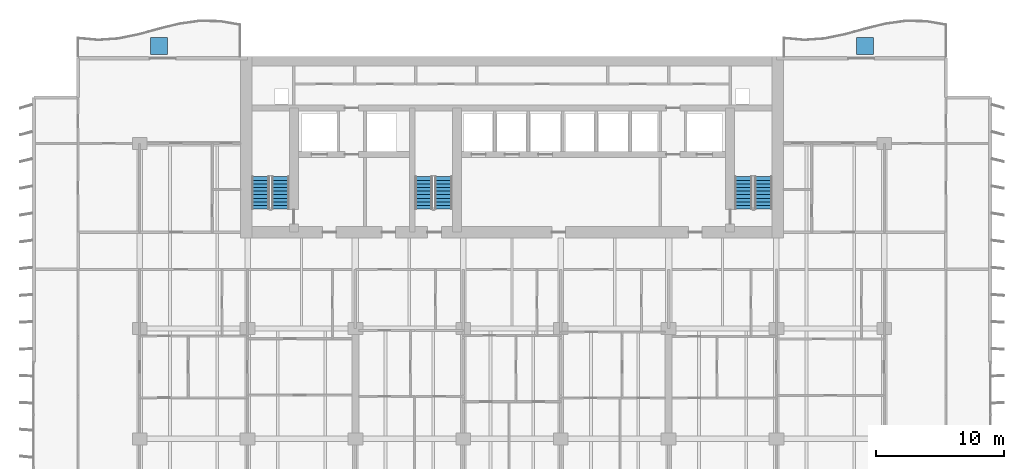
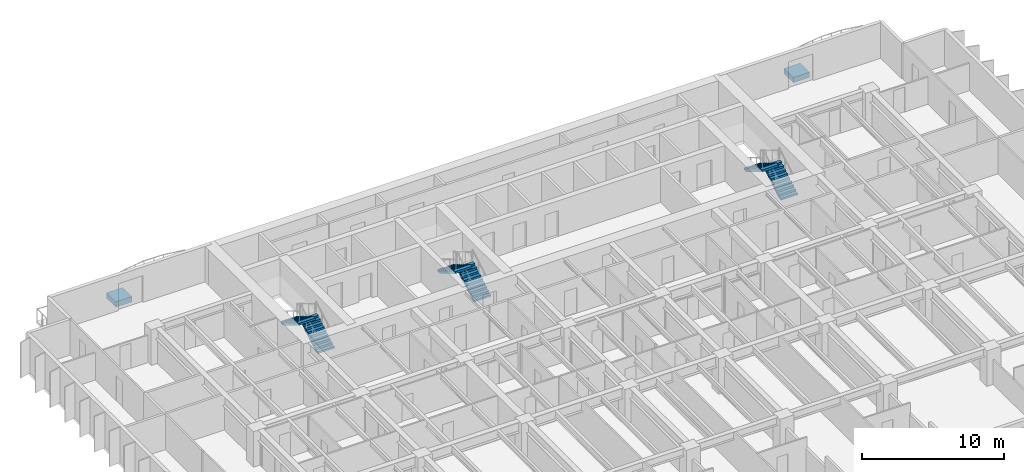
# One storey, part 14 of 18: 6 stair flights, 2 discrete accessories, 3 elements without a shape of their own.
"""IFC4 building model written with IfcOpenShell, lengths in metres."""

from ifc_helpers import new_model, si_unit, direction, frame, origin, origin_2d, place, context, subcontext, project, spatial, polyline, rectangle, outline, extrude, material, type_object, element, aggregate, save


model = new_model("IFC4")

# Units and contexts
model_context = context("Model", 3, precision=1e-05, world=origin(), true_north=direction((0.0, 1.0)))
body_context = subcontext(model_context, "Body", "Model", "MODEL_VIEW")
ifc_project = project(units=[si_unit("LENGTHUNIT", "METRE"), si_unit("AREAUNIT", "SQUARE_METRE"), si_unit("VOLUMEUNIT", "CUBIC_METRE"), si_unit("PLANEANGLEUNIT", "RADIAN"), si_unit("MASSUNIT", "GRAM", prefix="KILO")], contexts=[model_context])

# Site, building, storey
site_placement = place(None, origin())
site = spatial("IfcSite", under=ifc_project, at=site_placement, CompositionType="ELEMENT")
building_placement = place(site_placement, origin())
building = spatial("IfcBuilding", under=site, at=building_placement, Name="Caelmar Bay Residences", CompositionType="ELEMENT")
storey_placement = place(building_placement, frame((0.0, 0.0, 43.199951171875)))
storey = spatial("IfcBuildingStorey", under=building, at=storey_placement, Name="L10", CompositionType="ELEMENT", Elevation=43.199951171875)

# Stair, stair flights
ifc_material_1 = material(Name="Concrete f'c 40 MPa (6,000 psi)", Category="concrete")
stair_type = type_object("IfcStairType", Name="ST-TYP-165", PredefinedType="HALF_TURN_STAIR", material=ifc_material_1)
stair_1_placement = place(storey_placement, origin())
stair_1 = element("IfcStair", 1, at=stair_1_placement, inside=storey, type_object=stair_type, Name="L10 West Smokeproof Exit Stair ST1", PredefinedType="HALF_TURN_STAIR")
stair_flight_type = type_object("IfcStairFlightType", Name="STF-1350", PredefinedType="STRAIGHT", material=ifc_material_1)
stair_flight_1_placement = place(storey_placement, frame((20.875, 38.699951171875, 0.0), z_axis=(0.0, 0.0, 1.0), x_axis=(0.0, 1.0, 0.0)))
stair_flight_1 = element("IfcStairFlight", 2, at=stair_flight_1_placement, type_object=stair_flight_type, Name="ST1 flight 1", NumberOfRisers=10, NumberOfTreads=9, PredefinedType="STRAIGHT", RiserHeight=0.165, TreadLength=0.28, context=body_context, shape_type="SweptSolid", body=[
    extrude(outline(polyline([(0.0, 0.0), (0.0, 0.1650390625), (0.280029296875, 0.1650390625), (0.280029296875, 0.330078125), (0.56005859375, 0.330078125), (0.56005859375, 0.4951171875), (0.840087890625, 0.4951171875), (0.840087890625, 0.659912109375), (1.1201171875, 0.659912109375), (1.1201171875, 0.824951171875), (1.39990234375, 0.824951171875), (1.39990234375, 0.989990234375), (1.679931640625, 0.989990234375), (1.679931640625, 1.155029296875), (1.9599609375, 1.155029296875), (1.9599609375, 1.320068359375), (2.239990234375, 1.320068359375), (2.239990234375, 1.485107421875), (2.52001953125, 1.485107421875), (2.52001953125, 1.64990234375), (2.52001953125, 1.31103515625), (0.295166015625, 0.0), (0.0, 0.0)])), frame((0.0, 0.675048828125, 0.0), z_axis=(0.0, -1.0, 0.0), x_axis=(1.0, 0.0, 0.0)), (0.0, 0.0, 1.0), 1.35009765625),
])
stair_flight_2_placement = place(storey_placement, frame((19.324951171875, 41.219970703125, 1.650146484375), z_axis=(0.0, 0.0, 1.0), x_axis=(0.0, -1.0, 0.0)))
stair_flight_2 = element("IfcStairFlight", 3, at=stair_flight_2_placement, type_object=stair_flight_type, Name="ST1 flight 2", NumberOfRisers=10, NumberOfTreads=9, PredefinedType="STRAIGHT", RiserHeight=0.165, TreadLength=0.28, context=body_context, shape_type="SweptSolid", body=[
    extrude(outline(polyline([(0.0, 0.0), (0.0, 0.1650390625), (0.280029296875, 0.1650390625), (0.280029296875, 0.330078125), (0.56005859375, 0.330078125), (0.56005859375, 0.4951171875), (0.840087890625, 0.4951171875), (0.840087890625, 0.659912109375), (1.1201171875, 0.659912109375), (1.1201171875, 0.824951171875), (1.39990234375, 0.824951171875), (1.39990234375, 0.989990234375), (1.679931640625, 0.989990234375), (1.679931640625, 1.155029296875), (1.9599609375, 1.155029296875), (1.9599609375, 1.320068359375), (2.239990234375, 1.320068359375), (2.239990234375, 1.485107421875), (2.52001953125, 1.485107421875), (2.52001953125, 1.64990234375), (2.52001953125, 1.31103515625), (0.295166015625, 0.0), (0.0, 0.0)])), frame((0.0, 0.675048828125, 0.0), z_axis=(0.0, -1.0, 0.0), x_axis=(1.0, 0.0, 0.0)), (0.0, 0.0, 1.0), 1.35009765625),
])
aggregate(stair_1, [stair_flight_1, stair_flight_2])

stair_2_placement = place(storey_placement, origin())
stair_2 = element("IfcStair", 4, at=stair_2_placement, inside=storey, type_object=stair_type, Name="L10 East Smokeproof Exit Stair ST2", PredefinedType="HALF_TURN_STAIR")
stair_flight_3_placement = place(storey_placement, frame((58.47509765625, 38.699951171875, 0.0), z_axis=(0.0, 0.0, 1.0), x_axis=(0.0, 1.0, 0.0)))
stair_flight_3 = element("IfcStairFlight", 5, at=stair_flight_3_placement, type_object=stair_flight_type, Name="ST2 flight 1", NumberOfRisers=10, NumberOfTreads=9, PredefinedType="STRAIGHT", RiserHeight=0.165, TreadLength=0.28, context=body_context, shape_type="SweptSolid", body=[
    extrude(outline(polyline([(0.0, 0.0), (0.0, 0.1650390625), (0.280029296875, 0.1650390625), (0.280029296875, 0.330078125), (0.56005859375, 0.330078125), (0.56005859375, 0.4951171875), (0.840087890625, 0.4951171875), (0.840087890625, 0.659912109375), (1.1201171875, 0.659912109375), (1.1201171875, 0.824951171875), (1.39990234375, 0.824951171875), (1.39990234375, 0.989990234375), (1.679931640625, 0.989990234375), (1.679931640625, 1.155029296875), (1.9599609375, 1.155029296875), (1.9599609375, 1.320068359375), (2.239990234375, 1.320068359375), (2.239990234375, 1.485107421875), (2.52001953125, 1.485107421875), (2.52001953125, 1.64990234375), (2.52001953125, 1.31103515625), (0.295166015625, 0.0), (0.0, 0.0)])), frame((0.0, 0.675048828125, 0.0), z_axis=(0.0, -1.0, 0.0), x_axis=(1.0, 0.0, 0.0)), (0.0, 0.0, 1.0), 1.35009765625),
])
stair_flight_4_placement = place(storey_placement, frame((56.925048828125, 41.219970703125, 1.650146484375), z_axis=(0.0, 0.0, 1.0), x_axis=(0.0, -1.0, 0.0)))
stair_flight_4 = element("IfcStairFlight", 6, at=stair_flight_4_placement, type_object=stair_flight_type, Name="ST2 flight 2", NumberOfRisers=10, NumberOfTreads=9, PredefinedType="STRAIGHT", RiserHeight=0.165, TreadLength=0.28, context=body_context, shape_type="SweptSolid", body=[
    extrude(outline(polyline([(0.0, 0.0), (0.0, 0.1650390625), (0.280029296875, 0.1650390625), (0.280029296875, 0.330078125), (0.56005859375, 0.330078125), (0.56005859375, 0.4951171875), (0.840087890625, 0.4951171875), (0.840087890625, 0.659912109375), (1.1201171875, 0.659912109375), (1.1201171875, 0.824951171875), (1.39990234375, 0.824951171875), (1.39990234375, 0.989990234375), (1.679931640625, 0.989990234375), (1.679931640625, 1.155029296875), (1.9599609375, 1.155029296875), (1.9599609375, 1.320068359375), (2.239990234375, 1.320068359375), (2.239990234375, 1.485107421875), (2.52001953125, 1.485107421875), (2.52001953125, 1.64990234375), (2.52001953125, 1.31103515625), (0.295166015625, 0.0), (0.0, 0.0)])), frame((0.0, 0.675048828125, 0.0), z_axis=(0.0, -1.0, 0.0), x_axis=(1.0, 0.0, 0.0)), (0.0, 0.0, 1.0), 1.35009765625),
])
aggregate(stair_2, [stair_flight_3, stair_flight_4])

stair_3_placement = place(storey_placement, origin())
stair_3 = element("IfcStair", 7, at=stair_3_placement, inside=storey, type_object=stair_type, Name="L10 Central Smokeproof Exit Stair ST3", PredefinedType="HALF_TURN_STAIR")
stair_flight_5_placement = place(storey_placement, frame((33.574951171875, 38.699951171875, 0.0), z_axis=(0.0, 0.0, 1.0), x_axis=(0.0, 1.0, 0.0)))
stair_flight_5 = element("IfcStairFlight", 8, at=stair_flight_5_placement, type_object=stair_flight_type, Name="ST3 flight 1", NumberOfRisers=10, NumberOfTreads=9, PredefinedType="STRAIGHT", RiserHeight=0.165, TreadLength=0.28, context=body_context, shape_type="SweptSolid", body=[
    extrude(outline(polyline([(0.0, 0.0), (0.0, 0.1650390625), (0.280029296875, 0.1650390625), (0.280029296875, 0.330078125), (0.56005859375, 0.330078125), (0.56005859375, 0.4951171875), (0.840087890625, 0.4951171875), (0.840087890625, 0.659912109375), (1.1201171875, 0.659912109375), (1.1201171875, 0.824951171875), (1.39990234375, 0.824951171875), (1.39990234375, 0.989990234375), (1.679931640625, 0.989990234375), (1.679931640625, 1.155029296875), (1.9599609375, 1.155029296875), (1.9599609375, 1.320068359375), (2.239990234375, 1.320068359375), (2.239990234375, 1.485107421875), (2.52001953125, 1.485107421875), (2.52001953125, 1.64990234375), (2.52001953125, 1.31103515625), (0.295166015625, 0.0), (0.0, 0.0)])), frame((0.0, 0.675048828125, 0.0), z_axis=(0.0, -1.0, 0.0), x_axis=(1.0, 0.0, 0.0)), (0.0, 0.0, 1.0), 1.35009765625),
])
stair_flight_6_placement = place(storey_placement, frame((32.02490234375, 41.219970703125, 1.650146484375), z_axis=(0.0, 0.0, 1.0), x_axis=(0.0, -1.0, 0.0)))
stair_flight_6 = element("IfcStairFlight", 9, at=stair_flight_6_placement, type_object=stair_flight_type, Name="ST3 flight 2", NumberOfRisers=10, NumberOfTreads=9, PredefinedType="STRAIGHT", RiserHeight=0.165, TreadLength=0.28, context=body_context, shape_type="SweptSolid", body=[
    extrude(outline(polyline([(0.0, 0.0), (0.0, 0.1650390625), (0.280029296875, 0.1650390625), (0.280029296875, 0.330078125), (0.56005859375, 0.330078125), (0.56005859375, 0.4951171875), (0.840087890625, 0.4951171875), (0.840087890625, 0.659912109375), (1.1201171875, 0.659912109375), (1.1201171875, 0.824951171875), (1.39990234375, 0.824951171875), (1.39990234375, 0.989990234375), (1.679931640625, 0.989990234375), (1.679931640625, 1.155029296875), (1.9599609375, 1.155029296875), (1.9599609375, 1.320068359375), (2.239990234375, 1.320068359375), (2.239990234375, 1.485107421875), (2.52001953125, 1.485107421875), (2.52001953125, 1.64990234375), (2.52001953125, 1.31103515625), (0.295166015625, 0.0), (0.0, 0.0)])), frame((0.0, 0.675048828125, 0.0), z_axis=(0.0, -1.0, 0.0), x_axis=(1.0, 0.0, 0.0)), (0.0, 0.0, 1.0), 1.35009765625),
])
aggregate(stair_3, [stair_flight_5, stair_flight_6])

# Discrete accessories
ifc_material_2 = material(Name="Precast concrete f'c 40 MPa (6,000 psi)", Category="concrete")
discrete_accessory_type = type_object("IfcDiscreteAccessoryType", Name="STR-PLANTER-KERB-450", PredefinedType="USERDEFINED", material=ifc_material_2)
for number, where, z_axis, x_axis, name in (
    (10, (11.39990234375, 51.39990234375, 0.0), (0.0, 0.0, 1.0), (1.0, 0.0, 0.0), "L10 north_west Structural Tree Planter Kerb"),
    (11, (66.39990234375, 51.39990234375, 0.0), (0.0, 0.0, 1.0), (1.0, 0.0, 0.0), "L10 north_east Structural Tree Planter Kerb"),
):
    element("IfcDiscreteAccessory", number, at=place(storey_placement, frame(where, z_axis=z_axis, x_axis=x_axis)), inside=storey, type_object=discrete_accessory_type, Name=name, ObjectType="PLANTER", PredefinedType="USERDEFINED", context=body_context, shape_type="SweptSolid", body=[
        extrude(rectangle(XDim=1.300048828125, YDim=1.300048828125, at=origin_2d()), origin(), (0.0, 0.0, 1.0), 0.449951171875),
    ])

save(model, "model.ifc")
